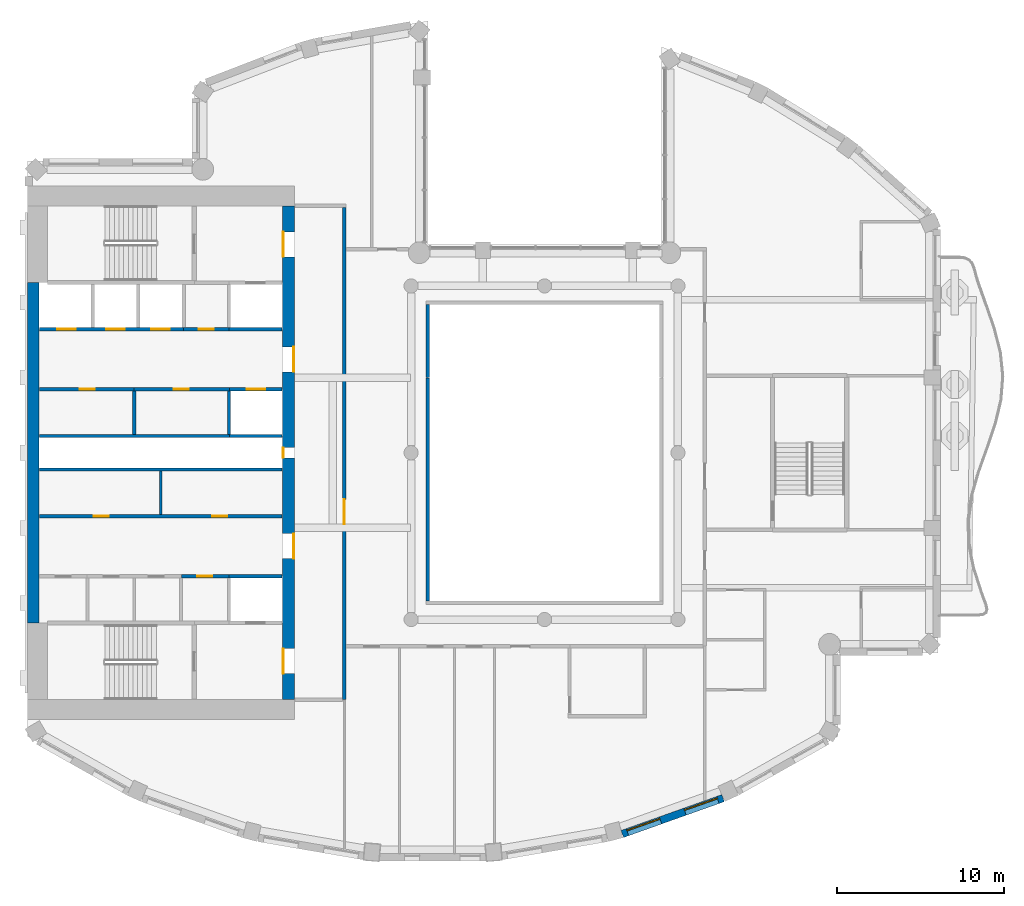
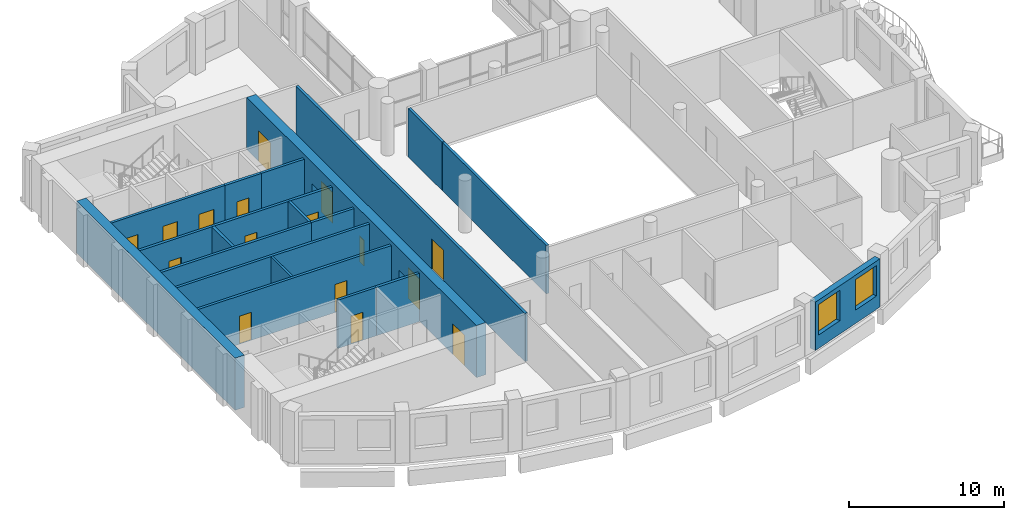
# One storey, part 5 of 14: 21 walls, 16 doors, 2 windows, 18 openings.
"""IFC4 building model written with IfcOpenShell, lengths in metres."""

from ifc_helpers import new_model, si_unit, direction, frame, frame_2d, origin, place, context, subcontext, project, spatial, rectangle, extrude, material, layer, layer_set, type_object, element, fill, save


model = new_model("IFC4")

# Units and contexts
model_context = context("Model", 3, precision=1e-05, world=origin(), true_north=direction((0.0, 1.0)))
body_context = subcontext(model_context, "Body", "Model", "MODEL_VIEW")
ifc_project = project(units=[si_unit("LENGTHUNIT", "METRE"), si_unit("AREAUNIT", "SQUARE_METRE"), si_unit("VOLUMEUNIT", "CUBIC_METRE"), si_unit("PLANEANGLEUNIT", "RADIAN"), si_unit("MASSUNIT", "GRAM", prefix="KILO")], contexts=[model_context])

# Site, building, storey
site_placement = place(None, origin())
site = spatial("IfcSite", under=ifc_project, at=site_placement, CompositionType="ELEMENT")
building_placement = place(site_placement, origin())
building = spatial("IfcBuilding", under=site, at=building_placement, Name="Cypress Arch Tower", CompositionType="ELEMENT")
storey_placement = place(building_placement, frame((0.0, 0.0, 300.800048828125)))
storey = spatial("IfcBuildingStorey", under=building, at=storey_placement, Name="L68", CompositionType="ELEMENT", Elevation=300.800048828125)

# Wall, openings, windows
ifc_material_1 = material(Name="Brick (red buff blend)", Category="masonry")
ifc_layer_1 = layer(ifc_material_1, 0.449951171875)
ifc_layer_set_1 = layer_set([ifc_layer_1], Name="Brick pier and spandrel wall BW450")
wall_type_1 = type_object("IfcWallType", Name="Brick pier and spandrel wall BW450", PredefinedType="SOLIDWALL", material=ifc_layer_set_1)
wall_1_placement = place(storey_placement, frame((5.66455078125, -22.859375, 0.0), z_axis=(0.0, 0.0, 1.0), x_axis=(0.942108340262, 0.335308626803, 0.0)))
wall_1 = element("IfcWall", 1, at=wall_1_placement, inside=storey, type_object=wall_type_1, Name="Brick wall L68 C13.0", PredefinedType="SOLIDWALL", context=body_context, shape_type="SweptSolid", body=[
    extrude(rectangle(XDim=6.41162109375, YDim=0.449951171875, at=frame_2d((3.205810546875, 0.0))), origin(), (0.0, 0.0, 1.0), 3.800048828125),
])
opening_1_placement = place(wall_1_placement, frame((0.3271484375, 0.0, 1.050048828125)))
opening_1 = element("IfcOpeningElement", 2, at=opening_1_placement, cuts=wall_1, Name="Opening W210O", PredefinedType="OPENING", context=body_context, shape_type="SweptSolid", body=[
    extrude(rectangle(XDim=2.10009765625, YDim=2.39990234375, at=frame_2d((1.050048828125, 1.199951171875))), frame((0.0, 0.23486328125, 0.0), z_axis=(0.0, -1.0, 0.0), x_axis=(1.0, 0.0, 0.0)), (0.0, 0.0, 1.0), 0.469970703125),
])
opening_2_placement = place(wall_1_placement, frame((3.984619140625, 0.0, 1.050048828125)))
opening_2 = element("IfcOpeningElement", 3, at=opening_2_placement, cuts=wall_1, Name="Opening W210O", PredefinedType="OPENING", context=body_context, shape_type="SweptSolid", body=[
    extrude(rectangle(XDim=2.10009765625, YDim=2.39990234375, at=frame_2d((1.050048828125, 1.199951171875))), frame((0.0, 0.23486328125, 0.0), z_axis=(0.0, -1.0, 0.0), x_axis=(1.0, 0.0, 0.0)), (0.0, 0.0, 1.0), 0.469970703125),
])
ifc_material_2 = material(Name="Anodised aluminium, bronze finish, clear low-emissivity double glazing", Category="aluminium")
window_type = type_object("IfcWindowType", Name="Window Office 2100x2400", PartitioningType="SINGLE_PANEL", PredefinedType="WINDOW", material=ifc_material_2)
window_1_placement = place(opening_1_placement, origin())
window_1 = element("IfcWindow", 4, at=window_1_placement, inside=storey, type_object=window_type, Name="Window L68 C13.0.1", OverallHeight=2.39990234375, OverallWidth=2.10009765625, PartitioningType="SINGLE_PANEL", PredefinedType="WINDOW", context=body_context, shape_type="SweptSolid", body=[
    extrude(rectangle(XDim=2.10009765625, YDim=2.39990234375, at=frame_2d((1.050048828125, 1.199951171875))), frame((0.0, 0.135009765625, 0.0), z_axis=(0.0, -1.0, 0.0), x_axis=(1.0, 0.0, 0.0)), (0.0, 0.0, 1.0), 0.06005859375),
])
fill(opening_1, window_1)
window_2_placement = place(opening_2_placement, origin())
window_2 = element("IfcWindow", 5, at=window_2_placement, inside=storey, type_object=window_type, Name="Window L68 C13.0.2", OverallHeight=2.39990234375, OverallWidth=2.10009765625, PartitioningType="SINGLE_PANEL", PredefinedType="WINDOW", context=body_context, shape_type="SweptSolid", body=[
    extrude(rectangle(XDim=2.10009765625, YDim=2.39990234375, at=frame_2d((1.050048828125, 1.199951171875))), frame((0.0, 0.135009765625, 0.0), z_axis=(0.0, -1.0, 0.0), x_axis=(1.0, 0.0, 0.0)), (0.0, 0.0, 1.0), 0.06005859375),
])
fill(opening_2, window_2)

# Wall, openings, doors
ifc_material_3 = material(Name="Concrete C60/75", Category="concrete")
ifc_layer_2 = layer(ifc_material_3, 0.699951171875)
ifc_layer_set_2 = layer_set([ifc_layer_2], Name="Core wall CW700 C60/75")
wall_type_2 = type_object("IfcWallType", Name="Core wall CW700 C60/75", PredefinedType="SHEAR", material=ifc_layer_set_2)
wall_2_placement = place(storey_placement, frame((-14.35009765625, -14.800048828125, 0.0), z_axis=(0.0, 0.0, 1.0), x_axis=(0.0, 1.0, 0.0)))
wall_2 = element("IfcWall", 6, at=wall_2_placement, inside=storey, type_object=wall_type_2, Name="Core wall", PredefinedType="SHEAR", context=body_context, shape_type="SweptSolid", body=[
    extrude(rectangle(XDim=29.60009765625, YDim=0.699951171875, at=frame_2d((14.800048828125, 0.0))), origin(), (0.0, 0.0, 1.0), 4.099853515625),
])
opening_3_placement = place(wall_2_placement, frame((1.550048828125, 0.0, 0.0)))
opening_3 = element("IfcOpeningElement", 7, at=opening_3_placement, cuts=wall_2, Name="Opening D07", PredefinedType="OPENING", context=body_context, shape_type="SweptSolid", body=[
    extrude(rectangle(XDim=1.5, YDim=2.39990234375, at=frame_2d((0.75, 1.199951171875))), frame((0.0, 0.35986328125, 0.0), z_axis=(0.0, -1.0, 0.0), x_axis=(1.0, 0.0, 0.0)), (0.0, 0.0, 1.0), 0.719970703125),
])
opening_4_placement = place(wall_2_placement, frame((26.550048828125, 0.0, 0.0)))
opening_4 = element("IfcOpeningElement", 8, at=opening_4_placement, cuts=wall_2, Name="Opening D07", PredefinedType="OPENING", context=body_context, shape_type="SweptSolid", body=[
    extrude(rectangle(XDim=1.5, YDim=2.39990234375, at=frame_2d((0.75, 1.199951171875))), frame((0.0, 0.35986328125, 0.0), z_axis=(0.0, -1.0, 0.0), x_axis=(1.0, 0.0, 0.0)), (0.0, 0.0, 1.0), 0.719970703125),
])
opening_5_placement = place(wall_2_placement, frame((8.449951171875, 0.0, 0.0)))
opening_5 = element("IfcOpeningElement", 9, at=opening_5_placement, cuts=wall_2, Name="Opening D07", PredefinedType="OPENING", context=body_context, shape_type="SweptSolid", body=[
    extrude(rectangle(XDim=1.5, YDim=2.39990234375, at=frame_2d((0.75, 1.199951171875))), frame((0.0, 0.35986328125, 0.0), z_axis=(0.0, -1.0, 0.0), x_axis=(1.0, 0.0, 0.0)), (0.0, 0.0, 1.0), 0.719970703125),
])
opening_6_placement = place(wall_2_placement, frame((19.64990234375, 0.0, 0.0)))
opening_6 = element("IfcOpeningElement", 10, at=opening_6_placement, cuts=wall_2, Name="Opening D07", PredefinedType="OPENING", context=body_context, shape_type="SweptSolid", body=[
    extrude(rectangle(XDim=1.5, YDim=2.39990234375, at=frame_2d((0.75, 1.199951171875))), frame((0.0, 0.35986328125, 0.0), z_axis=(0.0, -1.0, 0.0), x_axis=(1.0, 0.0, 0.0)), (0.0, 0.0, 1.0), 0.719970703125),
])
opening_7_placement = place(wall_2_placement, frame((14.5, 0.0, 0.0)))
opening_7 = element("IfcOpeningElement", 11, at=opening_7_placement, cuts=wall_2, Name="Opening D08", PredefinedType="OPENING", context=body_context, shape_type="SweptSolid", body=[
    extrude(rectangle(XDim=0.60009765625, YDim=2.0, at=frame_2d((0.300048828125, 1.0))), frame((0.0, 0.35986328125, 0.0), z_axis=(0.0, -1.0, 0.0), x_axis=(1.0, 0.0, 0.0)), (0.0, 0.0, 1.0), 0.719970703125),
])
ifc_material_4 = material(Name="Steel framed glazed door, fire resisting", Category="steel")
door_type_1 = type_object("IfcDoorType", Name="Lobby door D07 1500x2400", OperationType="DOUBLE_DOOR_SINGLE_SWING", PredefinedType="DOOR", material=ifc_material_4)
door_1_placement = place(opening_3_placement, origin())
door_1 = element("IfcDoor", 12, at=door_1_placement, inside=storey, type_object=door_type_1, Name="Lobby door", OperationType="DOUBLE_DOOR_SINGLE_SWING", OverallHeight=2.39990234375, OverallWidth=1.5, PredefinedType="DOOR", context=body_context, shape_type="SweptSolid", body=[
    extrude(rectangle(XDim=1.5, YDim=2.39990234375, at=frame_2d((0.75, 1.199951171875))), frame((0.0, 0.34521484375, 0.0), z_axis=(0.0, -1.0, 0.0), x_axis=(1.0, 0.0, 0.0)), (0.0, 0.0, 1.0), 0.050048828125),
])
fill(opening_3, door_1)
door_2_placement = place(opening_4_placement, origin())
door_2 = element("IfcDoor", 13, at=door_2_placement, inside=storey, type_object=door_type_1, Name="Lobby door", OperationType="DOUBLE_DOOR_SINGLE_SWING", OverallHeight=2.39990234375, OverallWidth=1.5, PredefinedType="DOOR", context=body_context, shape_type="SweptSolid", body=[
    extrude(rectangle(XDim=1.5, YDim=2.39990234375, at=frame_2d((0.75, 1.199951171875))), frame((0.0, 0.34521484375, 0.0), z_axis=(0.0, -1.0, 0.0), x_axis=(1.0, 0.0, 0.0)), (0.0, 0.0, 1.0), 0.050048828125),
])
fill(opening_4, door_2)
door_3_placement = place(opening_5_placement, origin())
door_3 = element("IfcDoor", 14, at=door_3_placement, inside=storey, type_object=door_type_1, Name="Lobby door", OperationType="DOUBLE_DOOR_SINGLE_SWING", OverallHeight=2.39990234375, OverallWidth=1.5, PredefinedType="DOOR", context=body_context, shape_type="SweptSolid", body=[
    extrude(rectangle(XDim=1.5, YDim=2.39990234375, at=frame_2d((0.75, 1.199951171875))), frame((0.0, -0.294921875, 0.0), z_axis=(0.0, -1.0, 0.0), x_axis=(1.0, 0.0, 0.0)), (0.0, 0.0, 1.0), 0.050048828125),
])
fill(opening_5, door_3)
door_4_placement = place(opening_6_placement, origin())
door_4 = element("IfcDoor", 15, at=door_4_placement, inside=storey, type_object=door_type_1, Name="Lobby door", OperationType="DOUBLE_DOOR_SINGLE_SWING", OverallHeight=2.39990234375, OverallWidth=1.5, PredefinedType="DOOR", context=body_context, shape_type="SweptSolid", body=[
    extrude(rectangle(XDim=1.5, YDim=2.39990234375, at=frame_2d((0.75, 1.199951171875))), frame((0.0, -0.294921875, 0.0), z_axis=(0.0, -1.0, 0.0), x_axis=(1.0, 0.0, 0.0)), (0.0, 0.0, 1.0), 0.050048828125),
])
fill(opening_6, door_4)
ifc_material_5 = material(Name="Steel access door, fire resisting", Category="steel")
door_type_2 = type_object("IfcDoorType", Name="Riser access door D08 600x2000", OperationType="SINGLE_SWING_LEFT", PredefinedType="DOOR", material=ifc_material_5)
door_5_placement = place(opening_7_placement, origin())
door_5 = element("IfcDoor", 16, at=door_5_placement, inside=storey, type_object=door_type_2, Name="Riser access door", OperationType="SINGLE_SWING_RIGHT", OverallHeight=2.0, OverallWidth=0.60009765625, PredefinedType="DOOR", context=body_context, shape_type="SweptSolid", body=[
    extrude(rectangle(XDim=0.60009765625, YDim=2.0, at=frame_2d((0.300048828125, 1.0))), frame((0.0, 0.34521484375, 0.0), z_axis=(0.0, -1.0, 0.0), x_axis=(1.0, 0.0, 0.0)), (0.0, 0.0, 1.0), 0.050048828125),
])
fill(opening_7, door_5)

# Wall
wall_3_placement = place(storey_placement, frame((-29.64990234375, -10.199951171875, 0.0), z_axis=(0.0, 0.0, 1.0), x_axis=(0.0, 1.0, 0.0)))
element("IfcWall", 17, at=wall_3_placement, inside=storey, type_object=wall_type_2, Name="Core wall", PredefinedType="SHEAR", context=body_context, shape_type="SweptSolid", body=[
    extrude(rectangle(XDim=20.39990234375, YDim=0.699951171875, at=frame_2d((10.199951171875, 0.0))), origin(), (0.0, 0.0, 1.0), 4.099853515625),
])

# Wall, openings, doors
ifc_material_6 = material(Name="Concrete blockwork, plastered, rated", Category="masonry")
ifc_layer_3 = layer(ifc_material_6, 0.199951171875)
ifc_layer_set_3 = layer_set([ifc_layer_3], Name="Corridor wall FW200")
wall_type_3 = type_object("IfcWallType", Name="Corridor wall FW200", PredefinedType="PARTITIONING", material=ifc_layer_set_3)
wall_4_placement = place(storey_placement, frame((-29.27001953125, -3.800048828125, 0.0), z_axis=(0.0, 0.0, 1.0), x_axis=(1.0, 0.0, 0.0)))
wall_4 = element("IfcWall", 18, at=wall_4_placement, inside=storey, type_object=wall_type_3, Name="Corridor wall", PredefinedType="PARTITIONING", context=body_context, shape_type="SweptSolid", body=[
    extrude(rectangle(XDim=14.5400390625, YDim=0.199951171875, at=frame_2d((7.27001953125, 0.0))), origin(), (0.0, 0.0, 1.0), 3.800048828125),
])
opening_8_placement = place(wall_4_placement, frame((3.25, 0.0, 0.0)))
opening_8 = element("IfcOpeningElement", 19, at=opening_8_placement, cuts=wall_4, Name="Opening D05", PredefinedType="OPENING", context=body_context, shape_type="SweptSolid", body=[
    extrude(rectangle(XDim=0.89990234375, YDim=2.199951171875, at=frame_2d((0.449951171875, 1.10009765625))), frame((0.0, 0.10986328125, 0.0), z_axis=(0.0, -1.0, 0.0), x_axis=(1.0, 0.0, 0.0)), (0.0, 0.0, 1.0), 0.219970703125),
])
opening_9_placement = place(wall_4_placement, frame((10.35009765625, 0.0, 0.0)))
opening_9 = element("IfcOpeningElement", 20, at=opening_9_placement, cuts=wall_4, Name="Opening D05", PredefinedType="OPENING", context=body_context, shape_type="SweptSolid", body=[
    extrude(rectangle(XDim=0.89990234375, YDim=2.199951171875, at=frame_2d((0.449951171875, 1.10009765625))), frame((0.0, 0.10986328125, 0.0), z_axis=(0.0, -1.0, 0.0), x_axis=(1.0, 0.0, 0.0)), (0.0, 0.0, 1.0), 0.219970703125),
])
ifc_material_7 = material(Name="Timber flush door", Category="wood")
door_type_3 = type_object("IfcDoorType", Name="Service door D05 900x2200", OperationType="SINGLE_SWING_LEFT", PredefinedType="DOOR", material=ifc_material_7)
door_6_placement = place(opening_8_placement, origin())
door_6 = element("IfcDoor", 21, at=door_6_placement, inside=storey, type_object=door_type_3, Name="Service door", OperationType="SINGLE_SWING_LEFT", OverallHeight=2.199951171875, OverallWidth=0.89990234375, PredefinedType="DOOR", context=body_context, shape_type="SweptSolid", body=[
    extrude(rectangle(XDim=0.89990234375, YDim=2.199951171875, at=frame_2d((0.449951171875, 1.10009765625))), frame((0.0, 0.02490234375, 0.0), z_axis=(0.0, -1.0, 0.0), x_axis=(1.0, 0.0, 0.0)), (0.0, 0.0, 1.0), 0.050048828125),
])
fill(opening_8, door_6)
door_7_placement = place(opening_9_placement, origin())
door_7 = element("IfcDoor", 22, at=door_7_placement, inside=storey, type_object=door_type_3, Name="Service door", OperationType="SINGLE_SWING_RIGHT", OverallHeight=2.199951171875, OverallWidth=0.89990234375, PredefinedType="DOOR", context=body_context, shape_type="SweptSolid", body=[
    extrude(rectangle(XDim=0.89990234375, YDim=2.199951171875, at=frame_2d((0.449951171875, 1.10009765625))), frame((0.0, 0.02490234375, 0.0), z_axis=(0.0, -1.0, 0.0), x_axis=(1.0, 0.0, 0.0)), (0.0, 0.0, 1.0), 0.050048828125),
])
fill(opening_9, door_7)

# Wall, opening, door
wall_5_placement = place(storey_placement, frame((-23.6201171875, 3.800048828125, 0.0), z_axis=(0.0, 0.0, 1.0), x_axis=(1.0, 0.0, 0.0)))
wall_5 = element("IfcWall", 23, at=wall_5_placement, inside=storey, type_object=wall_type_3, Name="Corridor wall", PredefinedType="PARTITIONING", context=body_context, shape_type="SweptSolid", body=[
    extrude(rectangle(XDim=5.72021484375, YDim=0.199951171875, at=frame_2d((2.860107421875, 0.0))), origin(), (0.0, 0.0, 1.0), 3.800048828125),
])
opening_10_placement = place(wall_5_placement, frame((2.39990234375, 0.0, 0.0)))
opening_10 = element("IfcOpeningElement", 24, at=opening_10_placement, cuts=wall_5, Name="Opening D05", PredefinedType="OPENING", context=body_context, shape_type="SweptSolid", body=[
    extrude(rectangle(XDim=0.89990234375, YDim=2.199951171875, at=frame_2d((0.449951171875, 1.10009765625))), frame((0.0, 0.10986328125, 0.0), z_axis=(0.0, -1.0, 0.0), x_axis=(1.0, 0.0, 0.0)), (0.0, 0.0, 1.0), 0.219970703125),
])
door_8_placement = place(opening_10_placement, origin())
door_8 = element("IfcDoor", 25, at=door_8_placement, inside=storey, type_object=door_type_3, Name="Service door", OperationType="SINGLE_SWING_RIGHT", OverallHeight=2.199951171875, OverallWidth=0.89990234375, PredefinedType="DOOR", context=body_context, shape_type="SweptSolid", body=[
    extrude(rectangle(XDim=0.89990234375, YDim=2.199951171875, at=frame_2d((0.449951171875, 1.10009765625))), frame((0.0, 0.02490234375, 0.0), z_axis=(0.0, -1.0, 0.0), x_axis=(1.0, 0.0, 0.0)), (0.0, 0.0, 1.0), 0.050048828125),
])
fill(opening_10, door_8)

wall_6_placement = place(storey_placement, frame((-20.639892578125, 7.39990234375, 0.0), z_axis=(0.0, 0.0, 1.0), x_axis=(1.0, 0.0, 0.0)))
wall_6 = element("IfcWall", 26, at=wall_6_placement, inside=storey, type_object=wall_type_3, Name="Corridor wall", PredefinedType="PARTITIONING", context=body_context, shape_type="SweptSolid", body=[
    extrude(rectangle(XDim=2.719970703125, YDim=0.199951171875, at=frame_2d((1.35986328125, 0.0))), origin(), (0.0, 0.0, 1.0), 3.800048828125),
])
opening_11_placement = place(wall_6_placement, frame((0.89990234375, 0.0, 0.0)))
opening_11 = element("IfcOpeningElement", 27, at=opening_11_placement, cuts=wall_6, Name="Opening D05", PredefinedType="OPENING", context=body_context, shape_type="SweptSolid", body=[
    extrude(rectangle(XDim=0.89990234375, YDim=2.199951171875, at=frame_2d((0.449951171875, 1.10009765625))), frame((0.0, 0.10986328125, 0.0), z_axis=(0.0, -1.0, 0.0), x_axis=(1.0, 0.0, 0.0)), (0.0, 0.0, 1.0), 0.219970703125),
])
door_9_placement = place(opening_11_placement, origin())
door_9 = element("IfcDoor", 28, at=door_9_placement, inside=storey, type_object=door_type_3, Name="Service door", OperationType="SINGLE_SWING_LEFT", OverallHeight=2.199951171875, OverallWidth=0.89990234375, PredefinedType="DOOR", context=body_context, shape_type="SweptSolid", body=[
    extrude(rectangle(XDim=0.89990234375, YDim=2.199951171875, at=frame_2d((0.449951171875, 1.10009765625))), frame((0.0, 0.02490234375, 0.0), z_axis=(0.0, -1.0, 0.0), x_axis=(1.0, 0.0, 0.0)), (0.0, 0.0, 1.0), 0.050048828125),
])
fill(opening_11, door_9)

wall_7_placement = place(storey_placement, frame((-11.0, -14.800048828125, 0.0), z_axis=(0.0, 0.0, 1.0), x_axis=(0.0, 1.0, 0.0)))
wall_7 = element("IfcWall", 29, at=wall_7_placement, inside=storey, type_object=wall_type_3, Name="Corridor wall", PredefinedType="PARTITIONING", context=body_context, shape_type="SweptSolid", body=[
    extrude(rectangle(XDim=29.5, YDim=0.199951171875, at=frame_2d((14.75, 0.0))), origin(), (0.0, 0.0, 1.0), 3.800048828125),
])
opening_12_placement = place(wall_7_placement, frame((10.5, 0.0, 0.0)))
opening_12 = element("IfcOpeningElement", 30, at=opening_12_placement, cuts=wall_7, Name="Opening D07", PredefinedType="OPENING", context=body_context, shape_type="SweptSolid", body=[
    extrude(rectangle(XDim=1.5, YDim=2.39990234375, at=frame_2d((0.75, 1.199951171875))), frame((0.0, 0.10986328125, 0.0), z_axis=(0.0, -1.0, 0.0), x_axis=(1.0, 0.0, 0.0)), (0.0, 0.0, 1.0), 0.219970703125),
])
door_10_placement = place(opening_12_placement, origin())
door_10 = element("IfcDoor", 31, at=door_10_placement, inside=storey, type_object=door_type_1, Name="Lobby door", OperationType="DOUBLE_DOOR_SINGLE_SWING", OverallHeight=2.39990234375, OverallWidth=1.5, PredefinedType="DOOR", context=body_context, shape_type="SweptSolid", body=[
    extrude(rectangle(XDim=1.5, YDim=2.39990234375, at=frame_2d((0.75, 1.199951171875))), frame((0.0, 0.02490234375, 0.0), z_axis=(0.0, -1.0, 0.0), x_axis=(1.0, 0.0, 0.0)), (0.0, 0.0, 1.0), 0.050048828125),
])
fill(opening_12, door_10)

# Walls
wall_8_placement = place(storey_placement, frame((-6.0, -8.89990234375, 0.0), z_axis=(0.0, 0.0, 1.0), x_axis=(0.0, 1.0, 0.0)))
element("IfcWall", 32, at=wall_8_placement, inside=storey, type_object=wall_type_3, Name="Corridor wall", PredefinedType="PARTITIONING", context=body_context, shape_type="SweptSolid", body=[
    extrude(rectangle(XDim=13.3798828125, YDim=0.199951171875, at=frame_2d((6.68994140625, 0.0))), origin(), (0.0, 0.0, 1.0), 3.800048828125),
])
wall_9_placement = place(storey_placement, frame((-6.0, 4.52001953125, 0.0), z_axis=(0.0, 0.0, 1.0), x_axis=(0.0, 1.0, 0.0)))
element("IfcWall", 33, at=wall_9_placement, inside=storey, type_object=wall_type_3, Name="Corridor wall", PredefinedType="PARTITIONING", context=body_context, shape_type="SweptSolid", body=[
    extrude(rectangle(XDim=4.3798828125, YDim=0.199951171875, at=frame_2d((2.18994140625, 0.0))), origin(), (0.0, 0.0, 1.0), 3.800048828125),
])
ifc_material_8 = material(Name="Blockwork, plastered both sides", Category="masonry")
ifc_layer_4 = layer(ifc_material_8, 0.14990234375)
ifc_layer_set_4 = layer_set([ifc_layer_4], Name="Partition PW150")
wall_type_4 = type_object("IfcWallType", Name="Partition PW150", PredefinedType="PARTITIONING", material=ifc_layer_set_4)
wall_10_placement = place(storey_placement, frame((-22.0, -3.699951171875, 0.0), z_axis=(0.0, 0.0, 1.0), x_axis=(0.0, 1.0, 0.0)))
element("IfcWall", 34, at=wall_10_placement, inside=storey, type_object=wall_type_4, Name="Partition", PredefinedType="PARTITIONING", context=body_context, shape_type="SweptSolid", body=[
    extrude(rectangle(XDim=2.599853515625, YDim=0.14990234375, at=frame_2d((1.2998046875, 0.0))), origin(), (0.0, 0.0, 1.0), 3.800048828125),
])
ifc_material_9 = material(Name="Reinforced blockwork, plastered, rated", Category="masonry")
ifc_layer_5 = layer(ifc_material_9, 0.199951171875)
ifc_layer_set_5 = layer_set([ifc_layer_5], Name="Plant and riser wall PL200")
wall_type_5 = type_object("IfcWallType", Name="Plant and riser wall PL200", PredefinedType="PARTITIONING", material=ifc_layer_set_5)
wall_11_placement = place(storey_placement, frame((-29.27001953125, -1.0, 0.0), z_axis=(0.0, 0.0, 1.0), x_axis=(1.0, 0.0, 0.0)))
element("IfcWall", 35, at=wall_11_placement, inside=storey, type_object=wall_type_5, Name="Plant and riser wall", PredefinedType="PARTITIONING", context=body_context, shape_type="SweptSolid", body=[
    extrude(rectangle(XDim=14.5400390625, YDim=0.199951171875, at=frame_2d((7.27001953125, 0.0))), origin(), (0.0, 0.0, 1.0), 3.800048828125),
])
wall_12_placement = place(storey_placement, frame((-29.27001953125, 1.0, 0.0), z_axis=(0.0, 0.0, 1.0), x_axis=(1.0, 0.0, 0.0)))
element("IfcWall", 36, at=wall_12_placement, inside=storey, type_object=wall_type_5, Name="Plant and riser wall", PredefinedType="PARTITIONING", context=body_context, shape_type="SweptSolid", body=[
    extrude(rectangle(XDim=11.3701171875, YDim=0.199951171875, at=frame_2d((5.68505859375, 0.0))), origin(), (0.0, 0.0, 1.0), 3.800048828125),
])

# Wall, opening, door
wall_13_placement = place(storey_placement, frame((-29.27001953125, 3.800048828125, 0.0), z_axis=(0.0, 0.0, 1.0), x_axis=(1.0, 0.0, 0.0)))
wall_13 = element("IfcWall", 37, at=wall_13_placement, inside=storey, type_object=wall_type_5, Name="Plant and riser wall", PredefinedType="PARTITIONING", context=body_context, shape_type="SweptSolid", body=[
    extrude(rectangle(XDim=5.64990234375, YDim=0.199951171875, at=frame_2d((2.824951171875, 0.0))), origin(), (0.0, 0.0, 1.0), 3.800048828125),
])
opening_13_placement = place(wall_13_placement, frame((2.39990234375, 0.0, 0.0)))
opening_13 = element("IfcOpeningElement", 38, at=opening_13_placement, cuts=wall_13, Name="Opening D05", PredefinedType="OPENING", context=body_context, shape_type="SweptSolid", body=[
    extrude(rectangle(XDim=0.89990234375, YDim=2.199951171875, at=frame_2d((0.449951171875, 1.10009765625))), frame((0.0, 0.10986328125, 0.0), z_axis=(0.0, -1.0, 0.0), x_axis=(1.0, 0.0, 0.0)), (0.0, 0.0, 1.0), 0.219970703125),
])
door_11_placement = place(opening_13_placement, origin())
door_11 = element("IfcDoor", 39, at=door_11_placement, inside=storey, type_object=door_type_3, Name="Service door", OperationType="SINGLE_SWING_LEFT", OverallHeight=2.199951171875, OverallWidth=0.89990234375, PredefinedType="DOOR", context=body_context, shape_type="SweptSolid", body=[
    extrude(rectangle(XDim=0.89990234375, YDim=2.199951171875, at=frame_2d((0.449951171875, 1.10009765625))), frame((0.0, 0.02490234375, 0.0), z_axis=(0.0, -1.0, 0.0), x_axis=(1.0, 0.0, 0.0)), (0.0, 0.0, 1.0), 0.050048828125),
])
fill(opening_13, door_11)

# Wall
wall_14_placement = place(storey_placement, frame((-23.60009765625, 1.10009765625, 0.0), z_axis=(0.0, 0.0, 1.0), x_axis=(0.0, 1.0, 0.0)))
element("IfcWall", 40, at=wall_14_placement, inside=storey, type_object=wall_type_5, Name="Plant and riser wall", PredefinedType="PARTITIONING", context=body_context, shape_type="SweptSolid", body=[
    extrude(rectangle(XDim=2.599853515625, YDim=0.199951171875, at=frame_2d((1.2998046875, 0.0))), origin(), (0.0, 0.0, 1.0), 3.800048828125),
])

# Wall, opening, door
wall_15_placement = place(storey_placement, frame((-20.780029296875, -7.39990234375, 0.0), z_axis=(0.0, 0.0, 1.0), x_axis=(1.0, 0.0, 0.0)))
wall_15 = element("IfcWall", 41, at=wall_15_placement, inside=storey, type_object=wall_type_5, Name="Plant and riser wall", PredefinedType="PARTITIONING", context=body_context, shape_type="SweptSolid", body=[
    extrude(rectangle(XDim=2.860107421875, YDim=0.199951171875, at=frame_2d((1.43017578125, 0.0))), origin(), (0.0, 0.0, 1.0), 3.800048828125),
])
opening_14_placement = place(wall_15_placement, frame((0.949951171875, 0.0, 0.0)))
opening_14 = element("IfcOpeningElement", 42, at=opening_14_placement, cuts=wall_15, Name="Opening D05", PredefinedType="OPENING", context=body_context, shape_type="SweptSolid", body=[
    extrude(rectangle(XDim=0.89990234375, YDim=2.199951171875, at=frame_2d((0.449951171875, 1.10009765625))), frame((0.0, 0.10986328125, 0.0), z_axis=(0.0, -1.0, 0.0), x_axis=(1.0, 0.0, 0.0)), (0.0, 0.0, 1.0), 0.219970703125),
])
door_12_placement = place(opening_14_placement, origin())
door_12 = element("IfcDoor", 43, at=door_12_placement, inside=storey, type_object=door_type_3, Name="Service door", OperationType="SINGLE_SWING_RIGHT", OverallHeight=2.199951171875, OverallWidth=0.89990234375, PredefinedType="DOOR", context=body_context, shape_type="SweptSolid", body=[
    extrude(rectangle(XDim=0.89990234375, YDim=2.199951171875, at=frame_2d((0.449951171875, 1.10009765625))), frame((0.0, 0.02490234375, 0.0), z_axis=(0.0, -1.0, 0.0), x_axis=(1.0, 0.0, 0.0)), (0.0, 0.0, 1.0), 0.050048828125),
])
fill(opening_14, door_12)

# Wall, openings, doors
ifc_material_10 = material(Name="Concrete C50/60", Category="concrete")
ifc_layer_6 = layer(ifc_material_10, 0.199951171875)
ifc_layer_set_6 = layer_set([ifc_layer_6], Name="Shaft wall SH200")
wall_type_6 = type_object("IfcWallType", Name="Shaft wall SH200", PredefinedType="SHEAR", material=ifc_layer_set_6)
wall_16_placement = place(storey_placement, frame((-29.27001953125, 7.39990234375, 0.0), z_axis=(0.0, 0.0, 1.0), x_axis=(1.0, 0.0, 0.0)))
wall_16 = element("IfcWall", 44, at=wall_16_placement, inside=storey, type_object=wall_type_6, Name="Shaft wall", PredefinedType="SHEAR", context=body_context, shape_type="SweptSolid", body=[
    extrude(rectangle(XDim=8.630126953125, YDim=0.199951171875, at=frame_2d((4.31494140625, 0.0))), origin(), (0.0, 0.0, 1.0), 3.800048828125),
])
opening_15_placement = place(wall_16_placement, frame((1.050048828125, 0.0, 0.0)))
opening_15 = element("IfcOpeningElement", 45, at=opening_15_placement, cuts=wall_16, Name="Opening LD-HR5", PredefinedType="OPENING", context=body_context, shape_type="SweptSolid", body=[
    extrude(rectangle(XDim=1.10009765625, YDim=2.199951171875, at=frame_2d((0.550048828125, 1.10009765625))), frame((0.0, 0.10986328125, 0.0), z_axis=(0.0, -1.0, 0.0), x_axis=(1.0, 0.0, 0.0)), (0.0, 0.0, 1.0), 0.219970703125),
])
opening_16_placement = place(wall_16_placement, frame((4.0, 0.0, 0.0)))
opening_16 = element("IfcOpeningElement", 46, at=opening_16_placement, cuts=wall_16, Name="Opening LD-HR6", PredefinedType="OPENING", context=body_context, shape_type="SweptSolid", body=[
    extrude(rectangle(XDim=1.10009765625, YDim=2.199951171875, at=frame_2d((0.550048828125, 1.10009765625))), frame((0.0, 0.10986328125, 0.0), z_axis=(0.0, -1.0, 0.0), x_axis=(1.0, 0.0, 0.0)), (0.0, 0.0, 1.0), 0.219970703125),
])
opening_17_placement = place(wall_16_placement, frame((6.699951171875, 0.0, 0.0)))
opening_17 = element("IfcOpeningElement", 47, at=opening_17_placement, cuts=wall_16, Name="Opening LD-HR7", PredefinedType="OPENING", context=body_context, shape_type="SweptSolid", body=[
    extrude(rectangle(XDim=1.10009765625, YDim=2.199951171875, at=frame_2d((0.550048828125, 1.10009765625))), frame((0.0, 0.10986328125, 0.0), z_axis=(0.0, -1.0, 0.0), x_axis=(1.0, 0.0, 0.0)), (0.0, 0.0, 1.0), 0.219970703125),
])
ifc_material_11 = material(Name="Stainless steel centre-opening landing door, rated", Category="steel")
door_type_4 = type_object("IfcDoorType", Name="Lift landing door LD 1100x2200", OperationType="DOUBLE_DOOR_SLIDING", PredefinedType="DOOR", material=ifc_material_11)
door_13_placement = place(opening_15_placement, origin())
door_13 = element("IfcDoor", 48, at=door_13_placement, inside=storey, type_object=door_type_4, Name="Lift landing doors HR5", OperationType="DOUBLE_DOOR_SLIDING", OverallHeight=2.199951171875, OverallWidth=1.10009765625, PredefinedType="DOOR", context=body_context, shape_type="SweptSolid", body=[
    extrude(rectangle(XDim=1.10009765625, YDim=2.199951171875, at=frame_2d((0.550048828125, 1.10009765625))), frame((0.0, 0.02490234375, 0.0), z_axis=(0.0, -1.0, 0.0), x_axis=(1.0, 0.0, 0.0)), (0.0, 0.0, 1.0), 0.050048828125),
])
fill(opening_15, door_13)
door_14_placement = place(opening_16_placement, origin())
door_14 = element("IfcDoor", 49, at=door_14_placement, inside=storey, type_object=door_type_4, Name="Lift landing doors HR6", OperationType="DOUBLE_DOOR_SLIDING", OverallHeight=2.199951171875, OverallWidth=1.10009765625, PredefinedType="DOOR", context=body_context, shape_type="SweptSolid", body=[
    extrude(rectangle(XDim=1.10009765625, YDim=2.199951171875, at=frame_2d((0.550048828125, 1.10009765625))), frame((0.0, 0.02490234375, 0.0), z_axis=(0.0, -1.0, 0.0), x_axis=(1.0, 0.0, 0.0)), (0.0, 0.0, 1.0), 0.050048828125),
])
fill(opening_16, door_14)
door_15_placement = place(opening_17_placement, origin())
door_15 = element("IfcDoor", 50, at=door_15_placement, inside=storey, type_object=door_type_4, Name="Lift landing doors HR7", OperationType="DOUBLE_DOOR_SLIDING", OverallHeight=2.199951171875, OverallWidth=1.10009765625, PredefinedType="DOOR", context=body_context, shape_type="SweptSolid", body=[
    extrude(rectangle(XDim=1.10009765625, YDim=2.199951171875, at=frame_2d((0.550048828125, 1.10009765625))), frame((0.0, 0.02490234375, 0.0), z_axis=(0.0, -1.0, 0.0), x_axis=(1.0, 0.0, 0.0)), (0.0, 0.0, 1.0), 0.050048828125),
])
fill(opening_17, door_15)

# Walls
wall_17_placement = place(storey_placement, frame((-17.919921875, -7.39990234375, 0.0), z_axis=(0.0, 0.0, 1.0), x_axis=(1.0, 0.0, 0.0)))
element("IfcWall", 51, at=wall_17_placement, inside=storey, type_object=wall_type_6, Name="Shaft wall", PredefinedType="SHEAR", context=body_context, shape_type="SweptSolid", body=[
    extrude(rectangle(XDim=3.18994140625, YDim=0.199951171875, at=frame_2d((1.594970703125, 0.0))), origin(), (0.0, 0.0, 1.0), 3.800048828125),
])
wall_18_placement = place(storey_placement, frame((-17.919921875, 1.10009765625, 0.0), z_axis=(0.0, 0.0, 1.0), x_axis=(0.0, 1.0, 0.0)))
element("IfcWall", 52, at=wall_18_placement, inside=storey, type_object=wall_type_6, Name="Shaft wall", PredefinedType="SHEAR", context=body_context, shape_type="SweptSolid", body=[
    extrude(rectangle(XDim=2.599853515625, YDim=0.199951171875, at=frame_2d((1.2998046875, 0.0))), origin(), (0.0, 0.0, 1.0), 3.800048828125),
])
wall_19_placement = place(storey_placement, frame((-17.89990234375, 1.0, 0.0), z_axis=(0.0, 0.0, 1.0), x_axis=(1.0, 0.0, 0.0)))
element("IfcWall", 53, at=wall_19_placement, inside=storey, type_object=wall_type_6, Name="Shaft wall", PredefinedType="SHEAR", context=body_context, shape_type="SweptSolid", body=[
    extrude(rectangle(XDim=3.169921875, YDim=0.199951171875, at=frame_2d((1.5849609375, 0.0))), origin(), (0.0, 0.0, 1.0), 3.800048828125),
])

# Wall, opening, door
wall_20_placement = place(storey_placement, frame((-17.89990234375, 3.800048828125, 0.0), z_axis=(0.0, 0.0, 1.0), x_axis=(1.0, 0.0, 0.0)))
wall_20 = element("IfcWall", 54, at=wall_20_placement, inside=storey, type_object=wall_type_6, Name="Shaft wall", PredefinedType="SHEAR", context=body_context, shape_type="SweptSolid", body=[
    extrude(rectangle(XDim=3.169921875, YDim=0.199951171875, at=frame_2d((1.5849609375, 0.0))), origin(), (0.0, 0.0, 1.0), 3.800048828125),
])
opening_18_placement = place(wall_20_placement, frame((1.050048828125, 0.0, 0.0)))
opening_18 = element("IfcOpeningElement", 55, at=opening_18_placement, cuts=wall_20, Name="Opening LD-HR4", PredefinedType="OPENING", context=body_context, shape_type="SweptSolid", body=[
    extrude(rectangle(XDim=1.10009765625, YDim=2.199951171875, at=frame_2d((0.550048828125, 1.10009765625))), frame((0.0, 0.10986328125, 0.0), z_axis=(0.0, -1.0, 0.0), x_axis=(1.0, 0.0, 0.0)), (0.0, 0.0, 1.0), 0.219970703125),
])
door_16_placement = place(opening_18_placement, origin())
door_16 = element("IfcDoor", 56, at=door_16_placement, inside=storey, type_object=door_type_4, Name="Lift landing doors HR4", OperationType="DOUBLE_DOOR_SLIDING", OverallHeight=2.199951171875, OverallWidth=1.10009765625, PredefinedType="DOOR", context=body_context, shape_type="SweptSolid", body=[
    extrude(rectangle(XDim=1.10009765625, YDim=2.199951171875, at=frame_2d((0.550048828125, 1.10009765625))), frame((0.0, 0.02490234375, 0.0), z_axis=(0.0, -1.0, 0.0), x_axis=(1.0, 0.0, 0.0)), (0.0, 0.0, 1.0), 0.050048828125),
])
fill(opening_18, door_16)

# Wall
wall_21_placement = place(storey_placement, frame((-17.919921875, 7.39990234375, 0.0), z_axis=(0.0, 0.0, 1.0), x_axis=(1.0, 0.0, 0.0)))
element("IfcWall", 57, at=wall_21_placement, inside=storey, type_object=wall_type_6, Name="Shaft wall", PredefinedType="SHEAR", context=body_context, shape_type="SweptSolid", body=[
    extrude(rectangle(XDim=3.18994140625, YDim=0.199951171875, at=frame_2d((1.594970703125, 0.0))), origin(), (0.0, 0.0, 1.0), 3.800048828125),
])

save(model, "model.ifc")
